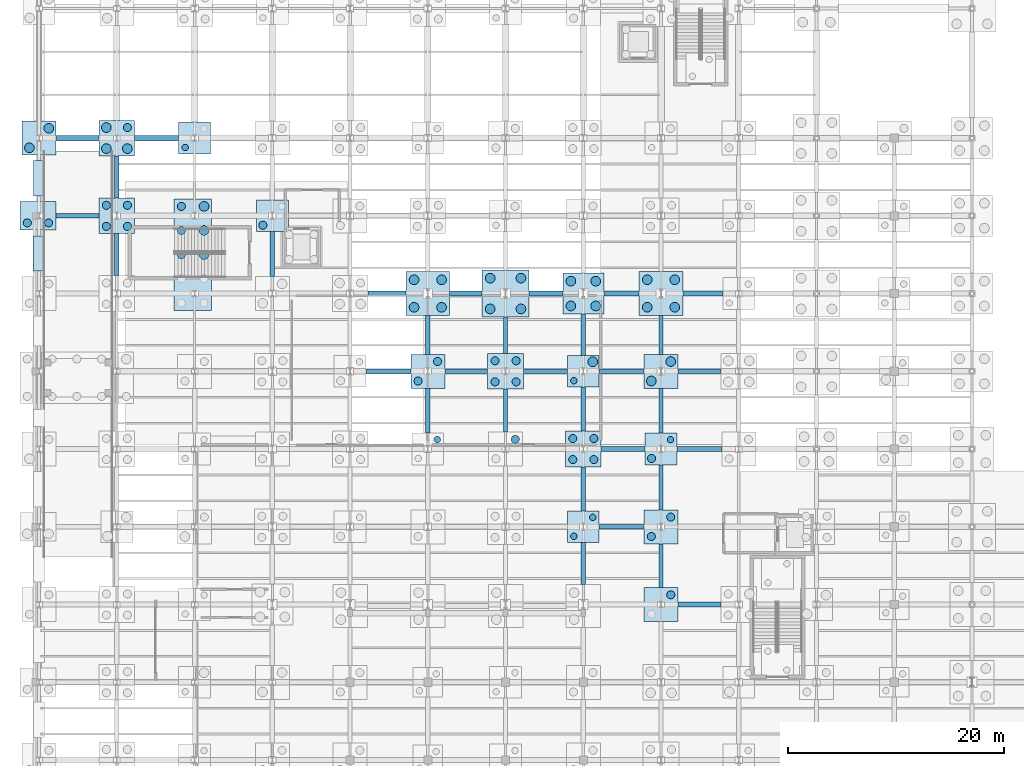
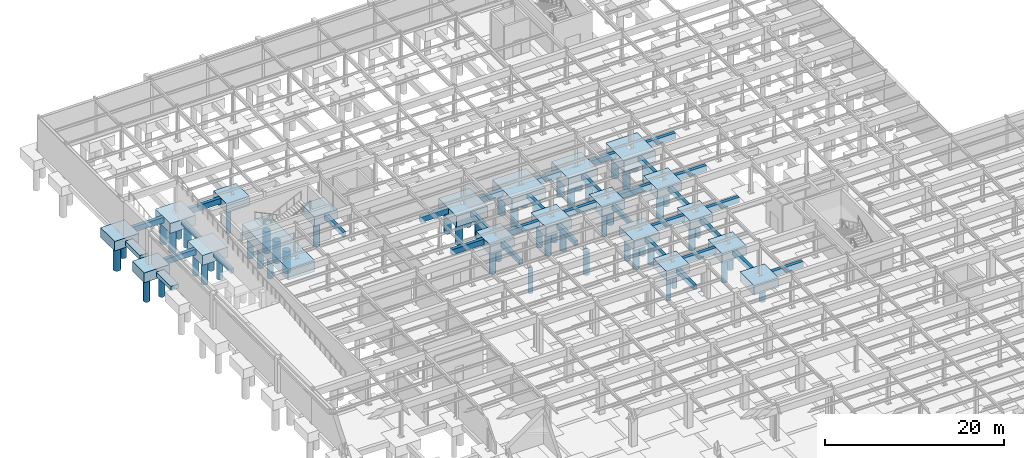
# One storey, part 9 of 64: 59 piles, 54 footings.
"""IFC4 building model written with IfcOpenShell, lengths in metres."""

from ifc_helpers import new_model, si_unit, direction, frame, origin, origin_2d, place, context, subcontext, project, spatial, rectangle, circle, extrude, material, material_profile, profile_set, type_object, element, save


model = new_model("IFC4")

# Units and contexts
model_context = context("Model", 3, precision=1e-05, world=origin(), true_north=direction((0.0, 1.0)))
body_context = subcontext(model_context, "Body", "Model", "MODEL_VIEW")
ifc_project = project(units=[si_unit("LENGTHUNIT", "METRE"), si_unit("AREAUNIT", "SQUARE_METRE"), si_unit("VOLUMEUNIT", "CUBIC_METRE"), si_unit("PLANEANGLEUNIT", "RADIAN"), si_unit("MASSUNIT", "GRAM", prefix="KILO")], contexts=[model_context])

# Site, building, storey
site_placement = place(None, origin())
site = spatial("IfcSite", under=ifc_project, at=site_placement, CompositionType="ELEMENT")
building_placement = place(site_placement, origin())
building = spatial("IfcBuilding", under=site, at=building_placement, Name="Solvadek Multi-Sports Hall", CompositionType="ELEMENT")
storey_placement = place(building_placement, frame((0.0, 0.0, -4.800048828125)))
storey = spatial("IfcBuildingStorey", under=building, at=storey_placement, Name="B1", CompositionType="ELEMENT", Elevation=-4.800048828125)

# Footings
ifc_material_1 = material(Name="Concrete M40", Category="concrete")
footing_type_1 = type_object("IfcFootingType", Name="STR-CAP-295X295X125", PredefinedType="PILE_CAP", material=ifc_material_1)
for number, where, z_axis, x_axis, name in (
    (1, (50.39990234375, 56.39990234375, -1.25), (0.0, 0.0, 1.0), (1.0, 0.0, 0.0), "Pile Cap PC-14 #184"),
    (2, (57.60009765625, 63.60009765625, -1.25), (0.0, 0.0, 1.0), (1.0, 0.0, 0.0), "Pile Cap PC-14 #208"),
    (3, (50.39990234375, 70.800048828125, -1.25), (0.0, 0.0, 1.0), (1.0, 0.0, 0.0), "Pile Cap PC-14 #226"),
    (4, (21.60009765625, 85.199951171875, -1.25), (0.0, 0.0, 1.0), (1.0, 0.0, 0.0), "Pile Cap PC-14 #247"),
    (5, (14.39990234375, 92.39990234375, -1.25), (0.0, 0.0, 1.0), (1.0, 0.0, 0.0), "Pile Cap PC-14 #259"),
):
    element("IfcFooting", number, at=place(storey_placement, frame(where, z_axis=z_axis, x_axis=x_axis)), inside=storey, type_object=footing_type_1, Name=name, PredefinedType="PILE_CAP", context=body_context, shape_type="SweptSolid", body=[
        extrude(rectangle(XDim=2.949951171875, YDim=2.949951171875, at=origin_2d()), origin(), (0.0, 0.0, 1.0), 1.25),
    ])
footing_type_2 = type_object("IfcFootingType", Name="STR-CAP-315X315X130", PredefinedType="PILE_CAP", material=ifc_material_1)
for number, where, z_axis, x_axis, name in (
    (6, (57.60009765625, 49.199951171875, -1.2998046875), (0.0, 0.0, 1.0), (1.0, 0.0, 0.0), "Pile Cap PC-15 #161"),
    (7, (57.60009765625, 56.39990234375, -1.2998046875), (0.0, 0.0, 1.0), (1.0, 0.0, 0.0), "Pile Cap PC-15 #185"),
    (8, (36.0, 70.800048828125, -1.2998046875), (0.0, 0.0, 1.0), (1.0, 0.0, 0.0), "Pile Cap PC-15 #224"),
    (9, (57.60009765625, 70.800048828125, -1.2998046875), (0.0, 0.0, 1.0), (1.0, 0.0, 0.0), "Pile Cap PC-15 #227"),
    (10, (0.0, 92.39990234375, -1.2998046875), (0.0, 0.0, 1.0), (1.0, 0.0, 0.0), "Pile Cap PC-15 #257"),
):
    element("IfcFooting", number, at=place(storey_placement, frame(where, z_axis=z_axis, x_axis=x_axis)), inside=storey, type_object=footing_type_2, Name=name, PredefinedType="PILE_CAP", context=body_context, shape_type="SweptSolid", body=[
        extrude(rectangle(XDim=3.14990234375, YDim=3.14990234375, at=origin_2d()), origin(), (0.0, 0.0, 1.0), 1.300048828125),
    ])
footing_type_3 = type_object("IfcFootingType", Name="STR-CAP-330X330X135", PredefinedType="PILE_CAP", material=ifc_material_1)
for number, where, z_axis, x_axis, name in (
    (11, (50.39990234375, 63.60009765625, -1.35009765625), (0.0, 0.0, 1.0), (1.0, 0.0, 0.0), "Pile Cap PC-04 #207"),
    (12, (43.199951171875, 70.800048828125, -1.35009765625), (0.0, 0.0, 1.0), (1.0, 0.0, 0.0), "Pile Cap PC-04 #225"),
    (13, (7.199951171875, 85.199951171875, -1.35009765625), (0.0, 0.0, 1.0), (1.0, 0.0, 0.0), "Pile Cap PC-04 #246"),
    (14, (7.199951171875, 92.39990234375, -1.35009765625), (0.0, 0.0, 1.0), (1.0, 0.0, 0.0), "Pile Cap PC-04 #258"),
):
    element("IfcFooting", number, at=place(storey_placement, frame(where, z_axis=z_axis, x_axis=x_axis)), inside=storey, type_object=footing_type_3, Name=name, PredefinedType="PILE_CAP", context=body_context, shape_type="SweptSolid", body=[
        extrude(rectangle(XDim=3.300048828125, YDim=3.300048828125, at=origin_2d()), origin(), (0.0, 0.0, 1.0), 1.35009765625),
    ])
footing_type_4 = type_object("IfcFootingType", Name="STR-CAP-380X380X150", PredefinedType="PILE_CAP", material=ifc_material_1)
footing_1_placement = place(storey_placement, frame((50.39990234375, 78.0, -1.5), z_axis=(0.0, 0.0, 1.0), x_axis=(1.0, 0.0, 0.0)))
element("IfcFooting", 15, at=footing_1_placement, inside=storey, type_object=footing_type_4, Name="Pile Cap PC-06 #232", PredefinedType="PILE_CAP", context=body_context, shape_type="SweptSolid", body=[
    extrude(rectangle(XDim=3.800048828125, YDim=3.800048828125, at=origin_2d()), origin(), (0.0, 0.0, 1.0), 1.5),
])
footing_type_5 = type_object("IfcFootingType", Name="STR-CAP-405X405X150", PredefinedType="PILE_CAP", material=ifc_material_1)
for number, where, z_axis, x_axis, name in (
    (16, (36.0, 78.0, -1.5), (0.0, 0.0, 1.0), (1.0, 0.0, 0.0), "Pile Cap PC-17 #230"),
    (17, (57.60009765625, 78.0, -1.5), (0.0, 0.0, 1.0), (1.0, 0.0, 0.0), "Pile Cap PC-17 #233"),
):
    element("IfcFooting", number, at=place(storey_placement, frame(where, z_axis=z_axis, x_axis=x_axis)), inside=storey, type_object=footing_type_5, Name=name, PredefinedType="PILE_CAP", context=body_context, shape_type="SweptSolid", body=[
        extrude(rectangle(XDim=4.050048828125, YDim=4.050048828125, at=origin_2d()), origin(), (0.0, 0.0, 1.0), 1.5),
    ])
footing_type_6 = type_object("IfcFootingType", Name="STR-CAP-435X435X150", PredefinedType="PILE_CAP", material=ifc_material_1)
footing_2_placement = place(storey_placement, frame((43.199951171875, 78.0, -1.5), z_axis=(0.0, 0.0, 1.0), x_axis=(1.0, 0.0, 0.0)))
element("IfcFooting", 18, at=footing_2_placement, inside=storey, type_object=footing_type_6, Name="Pile Cap PC-18 #231", PredefinedType="PILE_CAP", context=body_context, shape_type="SweptSolid", body=[
    extrude(rectangle(XDim=4.35009765625, YDim=4.35009765625, at=origin_2d()), origin(), (0.0, 0.0, 1.0), 1.5),
])
footing_type_7 = type_object("IfcFootingType", Name="STR-CAP-CMB-1030X345", PredefinedType="PILE_CAP", material=ifc_material_1)
footing_3_placement = place(storey_placement, frame((14.22509765625, 81.60009765625, -1.5), z_axis=(0.0, 0.0, 1.0), x_axis=(0.0, 1.0, 0.0)))
element("IfcFooting", 19, at=footing_3_placement, inside=storey, type_object=footing_type_7, Name="Pile Cap PC-R238 #238", PredefinedType="PILE_CAP", context=body_context, shape_type="SweptSolid", body=[
    extrude(rectangle(XDim=10.300048828125, YDim=3.449951171875, at=origin_2d()), origin(), (0.0, 0.0, 1.0), 1.5),
])
footing_type_8 = type_object("IfcFootingType", Name="STR-CAP-CMB-332X266", PredefinedType="PILE_CAP", material=ifc_material_1)
footing_4_placement = place(storey_placement, frame((-0.110107421875, 85.199951171875, -1.35009765625), z_axis=(0.0, 0.0, 1.0), x_axis=(1.0, 0.0, 0.0)))
element("IfcFooting", 20, at=footing_4_placement, inside=storey, type_object=footing_type_8, Name="Pile Cap PC-R86 #245", PredefinedType="PILE_CAP", context=body_context, shape_type="SweptSolid", body=[
    extrude(rectangle(XDim=3.320068359375, YDim=2.659912109375, at=origin_2d()), origin(), (0.0, 0.0, 1.0), 1.35009765625),
])
footing_type_9 = type_object("IfcFootingType", Name="STR-FTB-400X650", PredefinedType="FOOTING_BEAM", material=ifc_material_1)
for number, where, z_axis, x_axis, name in (
    (21, (7.199951171875, 81.60009765625, -0.64990234375), (0.0, 0.0, 1.0), (0.0, 1.0, 0.0), "Foundation Beam FB-01 #225"),
    (22, (7.199951171875, 88.800048828125, -0.64990234375), (0.0, 0.0, 1.0), (0.0, 1.0, 0.0), "Foundation Beam FB-01 #226"),
):
    element("IfcFooting", number, at=place(storey_placement, frame(where, z_axis=z_axis, x_axis=x_axis)), inside=storey, type_object=footing_type_9, Name=name, PredefinedType="FOOTING_BEAM", context=body_context, shape_type="SweptSolid", body=[
        extrude(rectangle(XDim=3.89990234375, YDim=0.39990234375, at=origin_2d()), origin(), (0.0, 0.0, 1.0), 0.64990234375),
    ])
for number, where, z_axis, x_axis, name in (
    (23, (21.60009765625, 81.64990234375, -0.64990234375), (0.0, 0.0, 1.0), (0.0, 1.0, 0.0), "Foundation Beam FB-01 #246"),
    (24, (36.0, 67.14990234375, -0.64990234375), (0.0, 0.0, 1.0), (0.0, 1.0, 0.0), "Foundation Beam FB-01 #268"),
):
    element("IfcFooting", number, at=place(storey_placement, frame(where, z_axis=z_axis, x_axis=x_axis)), inside=storey, type_object=footing_type_9, Name=name, PredefinedType="FOOTING_BEAM", context=body_context, shape_type="SweptSolid", body=[
        extrude(rectangle(XDim=4.14990234375, YDim=0.39990234375, at=origin_2d()), origin(), (0.0, 0.0, 1.0), 0.64990234375),
    ])
footing_5_placement = place(storey_placement, frame((36.0, 74.175048828125, -0.64990234375), z_axis=(0.0, 0.0, 1.0), x_axis=(0.0, 1.0, 0.0)))
element("IfcFooting", 25, at=footing_5_placement, inside=storey, type_object=footing_type_9, Name="Foundation Beam FB-01 #269", PredefinedType="FOOTING_BEAM", context=body_context, shape_type="SweptSolid", body=[
    extrude(rectangle(XDim=3.60009765625, YDim=0.39990234375, at=origin_2d()), origin(), (0.0, 0.0, 1.0), 0.64990234375),
])
footing_6_placement = place(storey_placement, frame((43.199951171875, 67.16259765625, -0.64990234375), z_axis=(0.0, 0.0, 1.0), x_axis=(0.0, 1.0, 0.0)))
element("IfcFooting", 26, at=footing_6_placement, inside=storey, type_object=footing_type_9, Name="Foundation Beam FB-01 #282", PredefinedType="FOOTING_BEAM", context=body_context, shape_type="SweptSolid", body=[
    extrude(rectangle(XDim=3.97509765625, YDim=0.39990234375, at=origin_2d()), origin(), (0.0, 0.0, 1.0), 0.64990234375),
])
footing_7_placement = place(storey_placement, frame((43.199951171875, 74.137451171875, -0.64990234375), z_axis=(0.0, 0.0, 1.0), x_axis=(0.0, 1.0, 0.0)))
element("IfcFooting", 27, at=footing_7_placement, inside=storey, type_object=footing_type_9, Name="Foundation Beam FB-01 #283", PredefinedType="FOOTING_BEAM", context=body_context, shape_type="SweptSolid", body=[
    extrude(rectangle(XDim=3.375, YDim=0.39990234375, at=origin_2d()), origin(), (0.0, 0.0, 1.0), 0.64990234375),
])
footing_8_placement = place(storey_placement, frame((50.39990234375, 52.987548828125, -0.64990234375), z_axis=(0.0, 0.0, 1.0), x_axis=(0.0, 1.0, 0.0)))
element("IfcFooting", 28, at=footing_8_placement, inside=storey, type_object=footing_type_9, Name="Foundation Beam FB-01 #294", PredefinedType="FOOTING_BEAM", context=body_context, shape_type="SweptSolid", body=[
    extrude(rectangle(XDim=3.875, YDim=0.39990234375, at=origin_2d()), origin(), (0.0, 0.0, 1.0), 0.64990234375),
])
for number, where, z_axis, x_axis, name in (
    (29, (50.39990234375, 59.91259765625, -0.64990234375), (0.0, 0.0, 1.0), (0.0, 1.0, 0.0), "Foundation Beam FB-01 #295"),
    (30, (50.39990234375, 67.28759765625, -0.64990234375), (0.0, 0.0, 1.0), (0.0, 1.0, 0.0), "Foundation Beam FB-01 #296"),
):
    element("IfcFooting", number, at=place(storey_placement, frame(where, z_axis=z_axis, x_axis=x_axis)), inside=storey, type_object=footing_type_9, Name=name, PredefinedType="FOOTING_BEAM", context=body_context, shape_type="SweptSolid", body=[
        extrude(rectangle(XDim=4.074951171875, YDim=0.39990234375, at=origin_2d()), origin(), (0.0, 0.0, 1.0), 0.64990234375),
    ])
footing_9_placement = place(storey_placement, frame((50.39990234375, 74.1875, -0.64990234375), z_axis=(0.0, 0.0, 1.0), x_axis=(0.0, 1.0, 0.0)))
element("IfcFooting", 31, at=footing_9_placement, inside=storey, type_object=footing_type_9, Name="Foundation Beam FB-01 #297", PredefinedType="FOOTING_BEAM", context=body_context, shape_type="SweptSolid", body=[
    extrude(rectangle(XDim=3.824951171875, YDim=0.39990234375, at=origin_2d()), origin(), (0.0, 0.0, 1.0), 0.64990234375),
])
footing_10_placement = place(storey_placement, frame((57.60009765625, 52.800048828125, -0.64990234375), z_axis=(0.0, 0.0, 1.0), x_axis=(0.0, 1.0, 0.0)))
element("IfcFooting", 32, at=footing_10_placement, inside=storey, type_object=footing_type_9, Name="Foundation Beam FB-01 #307", PredefinedType="FOOTING_BEAM", context=body_context, shape_type="SweptSolid", body=[
    extrude(rectangle(XDim=4.050048828125, YDim=0.39990234375, at=origin_2d()), origin(), (0.0, 0.0, 1.0), 0.64990234375),
])
for number, where, z_axis, x_axis, name in (
    (33, (57.60009765625, 60.050048828125, -0.64990234375), (0.0, 0.0, 1.0), (0.0, 1.0, 0.0), "Foundation Beam FB-01 #308"),
    (34, (57.60009765625, 67.14990234375, -0.64990234375), (0.0, 0.0, 1.0), (0.0, 1.0, 0.0), "Foundation Beam FB-01 #309"),
):
    element("IfcFooting", number, at=place(storey_placement, frame(where, z_axis=z_axis, x_axis=x_axis)), inside=storey, type_object=footing_type_9, Name=name, PredefinedType="FOOTING_BEAM", context=body_context, shape_type="SweptSolid", body=[
        extrude(rectangle(XDim=4.14990234375, YDim=0.39990234375, at=origin_2d()), origin(), (0.0, 0.0, 1.0), 0.64990234375),
    ])
footing_11_placement = place(storey_placement, frame((57.60009765625, 74.175048828125, -0.64990234375), z_axis=(0.0, 0.0, 1.0), x_axis=(0.0, 1.0, 0.0)))
element("IfcFooting", 35, at=footing_11_placement, inside=storey, type_object=footing_type_9, Name="Foundation Beam FB-01 #310", PredefinedType="FOOTING_BEAM", context=body_context, shape_type="SweptSolid", body=[
    extrude(rectangle(XDim=3.60009765625, YDim=0.39990234375, at=origin_2d()), origin(), (0.0, 0.0, 1.0), 0.64990234375),
])
footing_type_10 = type_object("IfcFootingType", Name="STR-FTB-450X750", PredefinedType="FOOTING_BEAM", material=ifc_material_1)
footing_12_placement = place(storey_placement, frame((61.16259765625, 49.199951171875, -0.75), z_axis=(0.0, 0.0, 1.0), x_axis=(1.0, 0.0, 0.0)))
element("IfcFooting", 36, at=footing_12_placement, inside=storey, type_object=footing_type_10, Name="Foundation Beam FB-02 #105", PredefinedType="FOOTING_BEAM", context=body_context, shape_type="SweptSolid", body=[
    extrude(rectangle(XDim=3.97509765625, YDim=0.449951171875, at=origin_2d()), origin(), (0.0, 0.0, 1.0), 0.75),
])
footing_13_placement = place(storey_placement, frame((53.949951171875, 56.39990234375, -0.75), z_axis=(0.0, 0.0, 1.0), x_axis=(1.0, 0.0, 0.0)))
element("IfcFooting", 37, at=footing_13_placement, inside=storey, type_object=footing_type_10, Name="Foundation Beam FB-02 #126", PredefinedType="FOOTING_BEAM", context=body_context, shape_type="SweptSolid", body=[
    extrude(rectangle(XDim=4.14990234375, YDim=0.449951171875, at=origin_2d()), origin(), (0.0, 0.0, 1.0), 0.75),
])
footing_14_placement = place(storey_placement, frame((54.08740234375, 63.60009765625, -0.75), z_axis=(0.0, 0.0, 1.0), x_axis=(1.0, 0.0, 0.0)))
element("IfcFooting", 38, at=footing_14_placement, inside=storey, type_object=footing_type_10, Name="Foundation Beam FB-02 #147", PredefinedType="FOOTING_BEAM", context=body_context, shape_type="SweptSolid", body=[
    extrude(rectangle(XDim=4.074951171875, YDim=0.449951171875, at=origin_2d()), origin(), (0.0, 0.0, 1.0), 0.75),
])
for number, where, z_axis, x_axis, name in (
    (39, (61.14990234375, 63.60009765625, -0.75), (0.0, 0.0, 1.0), (1.0, 0.0, 0.0), "Foundation Beam FB-02 #148"),
    (40, (32.35009765625, 70.800048828125, -0.75), (0.0, 0.0, 1.0), (1.0, 0.0, 0.0), "Foundation Beam FB-02 #156"),
):
    element("IfcFooting", number, at=place(storey_placement, frame(where, z_axis=z_axis, x_axis=x_axis)), inside=storey, type_object=footing_type_10, Name=name, PredefinedType="FOOTING_BEAM", context=body_context, shape_type="SweptSolid", body=[
        extrude(rectangle(XDim=4.14990234375, YDim=0.449951171875, at=origin_2d()), origin(), (0.0, 0.0, 1.0), 0.75),
    ])
footing_15_placement = place(storey_placement, frame((39.5625, 70.800048828125, -0.75), z_axis=(0.0, 0.0, 1.0), x_axis=(1.0, 0.0, 0.0)))
element("IfcFooting", 41, at=footing_15_placement, inside=storey, type_object=footing_type_10, Name="Foundation Beam FB-02 #157", PredefinedType="FOOTING_BEAM", context=body_context, shape_type="SweptSolid", body=[
    extrude(rectangle(XDim=3.97509765625, YDim=0.449951171875, at=origin_2d()), origin(), (0.0, 0.0, 1.0), 0.75),
])
footing_16_placement = place(storey_placement, frame((46.887451171875, 70.800048828125, -0.75), z_axis=(0.0, 0.0, 1.0), x_axis=(1.0, 0.0, 0.0)))
element("IfcFooting", 42, at=footing_16_placement, inside=storey, type_object=footing_type_10, Name="Foundation Beam FB-02 #158", PredefinedType="FOOTING_BEAM", context=body_context, shape_type="SweptSolid", body=[
    extrude(rectangle(XDim=4.074951171875, YDim=0.449951171875, at=origin_2d()), origin(), (0.0, 0.0, 1.0), 0.75),
])
footing_17_placement = place(storey_placement, frame((53.949951171875, 70.800048828125, -0.75), z_axis=(0.0, 0.0, 1.0), x_axis=(1.0, 0.0, 0.0)))
element("IfcFooting", 43, at=footing_17_placement, inside=storey, type_object=footing_type_10, Name="Foundation Beam FB-02 #159", PredefinedType="FOOTING_BEAM", context=body_context, shape_type="SweptSolid", body=[
    extrude(rectangle(XDim=4.14990234375, YDim=0.449951171875, at=origin_2d()), origin(), (0.0, 0.0, 1.0), 0.75),
])
footing_18_placement = place(storey_placement, frame((61.16259765625, 70.800048828125, -0.75), z_axis=(0.0, 0.0, 1.0), x_axis=(1.0, 0.0, 0.0)))
element("IfcFooting", 44, at=footing_18_placement, inside=storey, type_object=footing_type_10, Name="Foundation Beam FB-02 #160", PredefinedType="FOOTING_BEAM", context=body_context, shape_type="SweptSolid", body=[
    extrude(rectangle(XDim=3.97509765625, YDim=0.449951171875, at=origin_2d()), origin(), (0.0, 0.0, 1.0), 0.75),
])
footing_19_placement = place(storey_placement, frame((32.21240234375, 78.0, -0.75), z_axis=(0.0, 0.0, 1.0), x_axis=(1.0, 0.0, 0.0)))
element("IfcFooting", 45, at=footing_19_placement, inside=storey, type_object=footing_type_10, Name="Foundation Beam FB-02 #167", PredefinedType="FOOTING_BEAM", context=body_context, shape_type="SweptSolid", body=[
    extrude(rectangle(XDim=3.52490234375, YDim=0.449951171875, at=origin_2d()), origin(), (0.0, 0.0, 1.0), 0.75),
])
footing_20_placement = place(storey_placement, frame((39.52490234375, 78.0, -0.75), z_axis=(0.0, 0.0, 1.0), x_axis=(1.0, 0.0, 0.0)))
element("IfcFooting", 46, at=footing_20_placement, inside=storey, type_object=footing_type_10, Name="Foundation Beam FB-02 #168", PredefinedType="FOOTING_BEAM", context=body_context, shape_type="SweptSolid", body=[
    extrude(rectangle(XDim=3.0, YDim=0.449951171875, at=origin_2d()), origin(), (0.0, 0.0, 1.0), 0.75),
])
footing_21_placement = place(storey_placement, frame((46.9375, 78.0, -0.75), z_axis=(0.0, 0.0, 1.0), x_axis=(1.0, 0.0, 0.0)))
element("IfcFooting", 47, at=footing_21_placement, inside=storey, type_object=footing_type_10, Name="Foundation Beam FB-02 #169", PredefinedType="FOOTING_BEAM", context=body_context, shape_type="SweptSolid", body=[
    extrude(rectangle(XDim=3.125, YDim=0.449951171875, at=origin_2d()), origin(), (0.0, 0.0, 1.0), 0.75),
])
footing_22_placement = place(storey_placement, frame((53.9375, 78.0, -0.75), z_axis=(0.0, 0.0, 1.0), x_axis=(1.0, 0.0, 0.0)))
element("IfcFooting", 48, at=footing_22_placement, inside=storey, type_object=footing_type_10, Name="Foundation Beam FB-02 #170", PredefinedType="FOOTING_BEAM", context=body_context, shape_type="SweptSolid", body=[
    extrude(rectangle(XDim=3.27490234375, YDim=0.449951171875, at=origin_2d()), origin(), (0.0, 0.0, 1.0), 0.75),
])
footing_23_placement = place(storey_placement, frame((61.47509765625, 78.0, -0.75), z_axis=(0.0, 0.0, 1.0), x_axis=(1.0, 0.0, 0.0)))
element("IfcFooting", 49, at=footing_23_placement, inside=storey, type_object=footing_type_10, Name="Foundation Beam FB-02 #171", PredefinedType="FOOTING_BEAM", context=body_context, shape_type="SweptSolid", body=[
    extrude(rectangle(XDim=3.699951171875, YDim=0.449951171875, at=origin_2d()), origin(), (0.0, 0.0, 1.0), 0.75),
])
footing_24_placement = place(storey_placement, frame((3.550048828125, 85.199951171875, -0.75), z_axis=(0.0, 0.0, 1.0), x_axis=(1.0, 0.0, 0.0)))
element("IfcFooting", 50, at=footing_24_placement, inside=storey, type_object=footing_type_10, Name="Foundation Beam FB-02 #175", PredefinedType="FOOTING_BEAM", context=body_context, shape_type="SweptSolid", body=[
    extrude(rectangle(XDim=4.0, YDim=0.449951171875, at=origin_2d()), origin(), (0.0, 0.0, 1.0), 0.75),
])
footing_25_placement = place(storey_placement, frame((3.5625, 92.39990234375, -0.75), z_axis=(0.0, 0.0, 1.0), x_axis=(1.0, 0.0, 0.0)))
element("IfcFooting", 51, at=footing_25_placement, inside=storey, type_object=footing_type_10, Name="Foundation Beam FB-02 #185", PredefinedType="FOOTING_BEAM", context=body_context, shape_type="SweptSolid", body=[
    extrude(rectangle(XDim=3.97509765625, YDim=0.449951171875, at=origin_2d()), origin(), (0.0, 0.0, 1.0), 0.75),
])
footing_26_placement = place(storey_placement, frame((10.887451171875, 92.39990234375, -0.75), z_axis=(0.0, 0.0, 1.0), x_axis=(1.0, 0.0, 0.0)))
element("IfcFooting", 52, at=footing_26_placement, inside=storey, type_object=footing_type_10, Name="Foundation Beam FB-02 #186", PredefinedType="FOOTING_BEAM", context=body_context, shape_type="SweptSolid", body=[
    extrude(rectangle(XDim=4.074951171875, YDim=0.449951171875, at=origin_2d()), origin(), (0.0, 0.0, 1.0), 0.75),
])

# Piles
ifc_material_2 = material(Name="Concrete M35", Category="concrete")
ifc_material_profile_1 = material_profile(ifc_material_2, circle(Radius=0.300048828125, at=origin_2d()), Name="BORED PILE D600")
ifc_profile_set_1 = profile_set([ifc_material_profile_1], Name="Concrete M35")
pile_type_1 = type_object("IfcPileType", Name="STR-PILE-D600", PredefinedType="BORED", material=ifc_profile_set_1)
for number, where, z_axis, x_axis, name in (
    (53, (49.52490234375, 55.52490234375, -1.14990234375), (0.0, 0.0, -1.0), (1.0, 0.0, 0.0), "Bored Pile PL-600 #582"),
    (54, (51.27490234375, 57.27490234375, -1.14990234375), (0.0, 0.0, -1.0), (1.0, 0.0, 0.0), "Bored Pile PL-600 #583"),
    (55, (36.875, 64.47509765625, -1.14990234375), (0.0, 0.0, -1.0), (1.0, 0.0, 0.0), "Bored Pile PL-600 #639"),
    (56, (58.47509765625, 64.47509765625, -1.14990234375), (0.0, 0.0, -1.0), (1.0, 0.0, 0.0), "Bored Pile PL-600 #647"),
    (57, (49.52490234375, 69.925048828125, -1.14990234375), (0.0, 0.0, -1.0), (1.0, 0.0, 0.0), "Bored Pile PL-600 #718"),
    (58, (13.52490234375, 91.52490234375, -1.14990234375), (0.0, 0.0, -1.0), (1.0, 0.0, 0.0), "Bored Pile PL-600 #826"),
):
    element("IfcPile", number, at=place(storey_placement, frame(where, z_axis=z_axis, x_axis=x_axis)), inside=storey, type_object=pile_type_1, Name=name, PredefinedType="BORED", context=body_context, shape_type="SweptSolid", body=[
        extrude(circle(Radius=0.300048828125, at=origin_2d()), origin(), (0.0, 0.0, 1.0), 3.25),
    ])
ifc_material_profile_2 = material_profile(ifc_material_2, circle(Radius=0.375, at=origin_2d()), Name="BORED PILE D750")
ifc_profile_set_2 = profile_set([ifc_material_profile_2], Name="Concrete M35")
pile_type_2 = type_object("IfcPileType", Name="STR-PILE-D750", PredefinedType="BORED", material=ifc_profile_set_2)
for number, where, z_axis, x_axis, name in (
    (59, (58.5, 50.10009765625, -1.199951171875), (0.0, 0.0, -1.0), (1.0, 0.0, 0.0), "Bored Pile PL-750 #519"),
    (60, (56.699951171875, 55.5, -1.199951171875), (0.0, 0.0, -1.0), (1.0, 0.0, 0.0), "Bored Pile PL-750 #584"),
    (61, (58.5, 57.300048828125, -1.199951171875), (0.0, 0.0, -1.0), (1.0, 0.0, 0.0), "Bored Pile PL-750 #585"),
    (62, (44.10009765625, 64.5, -1.199951171875), (0.0, 0.0, -1.0), (1.0, 0.0, 0.0), "Bored Pile PL-750 #641"),
):
    element("IfcPile", number, at=place(storey_placement, frame(where, z_axis=z_axis, x_axis=x_axis)), inside=storey, type_object=pile_type_2, Name=name, PredefinedType="BORED", context=body_context, shape_type="SweptSolid", body=[
        extrude(circle(Radius=0.375, at=origin_2d()), origin(), (0.0, 0.0, 1.0), 3.199951171875),
    ])
for number, where, z_axis, x_axis, name in (
    (63, (49.425048828125, 62.625, -1.25), (0.0, 0.0, -1.0), (1.0, 0.0, 0.0), "Bored Pile PL-750 #642"),
    (64, (49.425048828125, 64.574951171875, -1.25), (0.0, 0.0, -1.0), (1.0, 0.0, 0.0), "Bored Pile PL-750 #643"),
    (65, (51.375, 62.625, -1.25), (0.0, 0.0, -1.0), (1.0, 0.0, 0.0), "Bored Pile PL-750 #644"),
    (66, (51.375, 64.574951171875, -1.25), (0.0, 0.0, -1.0), (1.0, 0.0, 0.0), "Bored Pile PL-750 #645"),
):
    element("IfcPile", number, at=place(storey_placement, frame(where, z_axis=z_axis, x_axis=x_axis)), inside=storey, type_object=pile_type_2, Name=name, PredefinedType="BORED", context=body_context, shape_type="SweptSolid", body=[
        extrude(circle(Radius=0.375, at=origin_2d()), origin(), (0.0, 0.0, 1.0), 3.14990234375),
    ])
pile_1_placement = place(storey_placement, frame((56.72509765625, 62.72509765625, -1.14990234375), z_axis=(0.0, 0.0, -1.0), x_axis=(1.0, 0.0, 0.0)))
element("IfcPile", 67, at=pile_1_placement, inside=storey, type_object=pile_type_2, Name="Bored Pile PL-750 #646", PredefinedType="BORED", context=body_context, shape_type="SweptSolid", body=[
    extrude(circle(Radius=0.375, at=origin_2d()), origin(), (0.0, 0.0, 1.0), 3.25),
])
for number, where, z_axis, x_axis, name in (
    (68, (35.10009765625, 69.89990234375, -1.199951171875), (0.0, 0.0, -1.0), (1.0, 0.0, 0.0), "Bored Pile PL-750 #712"),
    (69, (36.89990234375, 71.699951171875, -1.199951171875), (0.0, 0.0, -1.0), (1.0, 0.0, 0.0), "Bored Pile PL-750 #713"),
):
    element("IfcPile", number, at=place(storey_placement, frame(where, z_axis=z_axis, x_axis=x_axis)), inside=storey, type_object=pile_type_2, Name=name, PredefinedType="BORED", context=body_context, shape_type="SweptSolid", body=[
        extrude(circle(Radius=0.375, at=origin_2d()), origin(), (0.0, 0.0, 1.0), 3.199951171875),
    ])
for number, where, z_axis, x_axis, name in (
    (70, (42.22509765625, 69.824951171875, -1.25), (0.0, 0.0, -1.0), (1.0, 0.0, 0.0), "Bored Pile PL-750 #714"),
    (71, (42.22509765625, 71.77490234375, -1.25), (0.0, 0.0, -1.0), (1.0, 0.0, 0.0), "Bored Pile PL-750 #715"),
    (72, (44.175048828125, 69.824951171875, -1.25), (0.0, 0.0, -1.0), (1.0, 0.0, 0.0), "Bored Pile PL-750 #716"),
    (73, (44.175048828125, 71.77490234375, -1.25), (0.0, 0.0, -1.0), (1.0, 0.0, 0.0), "Bored Pile PL-750 #717"),
):
    element("IfcPile", number, at=place(storey_placement, frame(where, z_axis=z_axis, x_axis=x_axis)), inside=storey, type_object=pile_type_2, Name=name, PredefinedType="BORED", context=body_context, shape_type="SweptSolid", body=[
        extrude(circle(Radius=0.375, at=origin_2d()), origin(), (0.0, 0.0, 1.0), 3.14990234375),
    ])
for number, where, z_axis, x_axis, name in (
    (74, (13.175048828125, 81.60009765625, -1.39990234375), (0.0, 0.0, -1.0), (1.0, 0.0, 0.0), "Bored Pile PL-750 #760"),
    (75, (13.175048828125, 83.83740234375, -1.39990234375), (0.0, 0.0, -1.0), (1.0, 0.0, 0.0), "Bored Pile PL-750 #761"),
    (76, (13.175048828125, 86.074951171875, -1.39990234375), (0.0, 0.0, -1.0), (1.0, 0.0, 0.0), "Bored Pile PL-750 #762"),
):
    element("IfcPile", number, at=place(storey_placement, frame(where, z_axis=z_axis, x_axis=x_axis)), inside=storey, type_object=pile_type_2, Name=name, PredefinedType="BORED", context=body_context, shape_type="SweptSolid", body=[
        extrude(circle(Radius=0.375, at=origin_2d()), origin(), (0.0, 0.0, 1.0), 3.0),
    ])
for number, where, z_axis, x_axis, name in (
    (77, (-1.094970703125, 84.544921875, -1.25), (0.0, 0.0, -1.0), (1.0, 0.0, 0.0), "Bored Pile PL-750 #786"),
    (78, (0.875, 84.544921875, -1.25), (0.0, 0.0, -1.0), (1.0, 0.0, 0.0), "Bored Pile PL-750 #787"),
    (79, (6.22509765625, 84.22509765625, -1.25), (0.0, 0.0, -1.0), (1.0, 0.0, 0.0), "Bored Pile PL-750 #788"),
    (80, (6.22509765625, 86.175048828125, -1.25), (0.0, 0.0, -1.0), (1.0, 0.0, 0.0), "Bored Pile PL-750 #789"),
    (81, (8.175048828125, 84.22509765625, -1.25), (0.0, 0.0, -1.0), (1.0, 0.0, 0.0), "Bored Pile PL-750 #790"),
    (82, (8.175048828125, 86.175048828125, -1.25), (0.0, 0.0, -1.0), (1.0, 0.0, 0.0), "Bored Pile PL-750 #791"),
):
    element("IfcPile", number, at=place(storey_placement, frame(where, z_axis=z_axis, x_axis=x_axis)), inside=storey, type_object=pile_type_2, Name=name, PredefinedType="BORED", context=body_context, shape_type="SweptSolid", body=[
        extrude(circle(Radius=0.375, at=origin_2d()), origin(), (0.0, 0.0, 1.0), 3.14990234375),
    ])
pile_2_placement = place(storey_placement, frame((20.72509765625, 84.324951171875, -1.14990234375), z_axis=(0.0, 0.0, -1.0), x_axis=(1.0, 0.0, 0.0)))
element("IfcPile", 83, at=pile_2_placement, inside=storey, type_object=pile_type_2, Name="Bored Pile PL-750 #792", PredefinedType="BORED", context=body_context, shape_type="SweptSolid", body=[
    extrude(circle(Radius=0.375, at=origin_2d()), origin(), (0.0, 0.0, 1.0), 3.25),
])
pile_3_placement = place(storey_placement, frame((8.175048828125, 93.375, -1.25), z_axis=(0.0, 0.0, -1.0), x_axis=(1.0, 0.0, 0.0)))
element("IfcPile", 84, at=pile_3_placement, inside=storey, type_object=pile_type_2, Name="Bored Pile PL-750 #825", PredefinedType="BORED", context=body_context, shape_type="SweptSolid", body=[
    extrude(circle(Radius=0.375, at=origin_2d()), origin(), (0.0, 0.0, 1.0), 3.14990234375),
])
ifc_material_profile_3 = material_profile(ifc_material_2, circle(Radius=0.449951171875, at=origin_2d()), Name="BORED PILE D900")
ifc_profile_set_3 = profile_set([ifc_material_profile_3], Name="Concrete M35")
pile_type_3 = type_object("IfcPileType", Name="STR-PILE-D900", PredefinedType="BORED", material=ifc_profile_set_3)
pile_4_placement = place(storey_placement, frame((51.27490234375, 71.675048828125, -1.14990234375), z_axis=(0.0, 0.0, -1.0), x_axis=(1.0, 0.0, 0.0)))
element("IfcPile", 85, at=pile_4_placement, inside=storey, type_object=pile_type_3, Name="Bored Pile PL-900 #719", PredefinedType="BORED", context=body_context, shape_type="SweptSolid", body=[
    extrude(circle(Radius=0.449951171875, at=origin_2d()), origin(), (0.0, 0.0, 1.0), 3.25),
])
for number, where, z_axis, x_axis, name in (
    (86, (56.699951171875, 69.89990234375, -1.199951171875), (0.0, 0.0, -1.0), (1.0, 0.0, 0.0), "Bored Pile PL-900 #720"),
    (87, (58.5, 71.699951171875, -1.199951171875), (0.0, 0.0, -1.0), (1.0, 0.0, 0.0), "Bored Pile PL-900 #721"),
):
    element("IfcPile", number, at=place(storey_placement, frame(where, z_axis=z_axis, x_axis=x_axis)), inside=storey, type_object=pile_type_3, Name=name, PredefinedType="BORED", context=body_context, shape_type="SweptSolid", body=[
        extrude(circle(Radius=0.449951171875, at=origin_2d()), origin(), (0.0, 0.0, 1.0), 3.199951171875),
    ])
for number, where, z_axis, x_axis, name in (
    (88, (34.72509765625, 76.72509765625, -1.39990234375), (0.0, 0.0, -1.0), (1.0, 0.0, 0.0), "Bored Pile PL-900 #728"),
    (89, (34.72509765625, 79.27490234375, -1.39990234375), (0.0, 0.0, -1.0), (1.0, 0.0, 0.0), "Bored Pile PL-900 #729"),
    (90, (37.27490234375, 76.72509765625, -1.39990234375), (0.0, 0.0, -1.0), (1.0, 0.0, 0.0), "Bored Pile PL-900 #730"),
    (91, (37.27490234375, 79.27490234375, -1.39990234375), (0.0, 0.0, -1.0), (1.0, 0.0, 0.0), "Bored Pile PL-900 #731"),
    (92, (41.77490234375, 76.574951171875, -1.39990234375), (0.0, 0.0, -1.0), (1.0, 0.0, 0.0), "Bored Pile PL-900 #732"),
    (93, (41.77490234375, 79.425048828125, -1.39990234375), (0.0, 0.0, -1.0), (1.0, 0.0, 0.0), "Bored Pile PL-900 #733"),
    (94, (44.625, 76.574951171875, -1.39990234375), (0.0, 0.0, -1.0), (1.0, 0.0, 0.0), "Bored Pile PL-900 #734"),
    (95, (44.625, 79.425048828125, -1.39990234375), (0.0, 0.0, -1.0), (1.0, 0.0, 0.0), "Bored Pile PL-900 #735"),
    (96, (49.25, 76.85009765625, -1.39990234375), (0.0, 0.0, -1.0), (1.0, 0.0, 0.0), "Bored Pile PL-900 #736"),
    (97, (49.25, 79.14990234375, -1.39990234375), (0.0, 0.0, -1.0), (1.0, 0.0, 0.0), "Bored Pile PL-900 #737"),
    (98, (51.550048828125, 76.85009765625, -1.39990234375), (0.0, 0.0, -1.0), (1.0, 0.0, 0.0), "Bored Pile PL-900 #738"),
    (99, (51.550048828125, 79.14990234375, -1.39990234375), (0.0, 0.0, -1.0), (1.0, 0.0, 0.0), "Bored Pile PL-900 #739"),
    (100, (56.324951171875, 76.72509765625, -1.39990234375), (0.0, 0.0, -1.0), (1.0, 0.0, 0.0), "Bored Pile PL-900 #740"),
    (101, (56.324951171875, 79.27490234375, -1.39990234375), (0.0, 0.0, -1.0), (1.0, 0.0, 0.0), "Bored Pile PL-900 #741"),
    (102, (58.875, 76.72509765625, -1.39990234375), (0.0, 0.0, -1.0), (1.0, 0.0, 0.0), "Bored Pile PL-900 #742"),
    (103, (58.875, 79.27490234375, -1.39990234375), (0.0, 0.0, -1.0), (1.0, 0.0, 0.0), "Bored Pile PL-900 #743"),
    (104, (15.27490234375, 81.60009765625, -1.39990234375), (0.0, 0.0, -1.0), (1.0, 0.0, 0.0), "Bored Pile PL-900 #765"),
    (105, (15.27490234375, 83.83740234375, -1.39990234375), (0.0, 0.0, -1.0), (1.0, 0.0, 0.0), "Bored Pile PL-900 #766"),
    (106, (15.27490234375, 86.074951171875, -1.39990234375), (0.0, 0.0, -1.0), (1.0, 0.0, 0.0), "Bored Pile PL-900 #767"),
):
    element("IfcPile", number, at=place(storey_placement, frame(where, z_axis=z_axis, x_axis=x_axis)), inside=storey, type_object=pile_type_3, Name=name, PredefinedType="BORED", context=body_context, shape_type="SweptSolid", body=[
        extrude(circle(Radius=0.449951171875, at=origin_2d()), origin(), (0.0, 0.0, 1.0), 3.0),
    ])
for number, where, z_axis, x_axis, name in (
    (107, (-0.89990234375, 91.5, -1.199951171875), (0.0, 0.0, -1.0), (1.0, 0.0, 0.0), "Bored Pile PL-900 #820"),
    (108, (0.89990234375, 93.300048828125, -1.199951171875), (0.0, 0.0, -1.0), (1.0, 0.0, 0.0), "Bored Pile PL-900 #821"),
):
    element("IfcPile", number, at=place(storey_placement, frame(where, z_axis=z_axis, x_axis=x_axis)), inside=storey, type_object=pile_type_3, Name=name, PredefinedType="BORED", context=body_context, shape_type="SweptSolid", body=[
        extrude(circle(Radius=0.449951171875, at=origin_2d()), origin(), (0.0, 0.0, 1.0), 3.199951171875),
    ])
for number, where, z_axis, x_axis, name in (
    (109, (6.22509765625, 91.425048828125, -1.25), (0.0, 0.0, -1.0), (1.0, 0.0, 0.0), "Bored Pile PL-900 #822"),
    (110, (6.22509765625, 93.375, -1.25), (0.0, 0.0, -1.0), (1.0, 0.0, 0.0), "Bored Pile PL-900 #823"),
    (111, (8.175048828125, 91.425048828125, -1.25), (0.0, 0.0, -1.0), (1.0, 0.0, 0.0), "Bored Pile PL-900 #824"),
):
    element("IfcPile", number, at=place(storey_placement, frame(where, z_axis=z_axis, x_axis=x_axis)), inside=storey, type_object=pile_type_3, Name=name, PredefinedType="BORED", context=body_context, shape_type="SweptSolid", body=[
        extrude(circle(Radius=0.449951171875, at=origin_2d()), origin(), (0.0, 0.0, 1.0), 3.14990234375),
    ])

# Footings
footing_type_11 = type_object("IfcFootingType", Name="STR-SFT-1000X600", PredefinedType="STRIP_FOOTING", material=ifc_material_1)
for number, where, z_axis, x_axis, name in (
    (112, (0.0, 88.677490234375, -0.60009765625), (0.0, 0.0, 1.0), (0.0, -1.0, 0.0), "Perimeter Retaining Wall Strip Footing #453"),
    (113, (0.0, 81.722412109375, -0.60009765625), (0.0, 0.0, 1.0), (0.0, -1.0, 0.0), "Perimeter Retaining Wall Strip Footing #454"),
):
    element("IfcFooting", number, at=place(storey_placement, frame(where, z_axis=z_axis, x_axis=x_axis)), inside=storey, type_object=footing_type_11, Name=name, PredefinedType="STRIP_FOOTING", context=body_context, shape_type="SweptSolid", body=[
        extrude(rectangle(XDim=3.2548828125, YDim=1.0, at=origin_2d()), origin(), (0.0, 0.0, 1.0), 0.60009765625),
    ])

save(model, "model.ifc")
